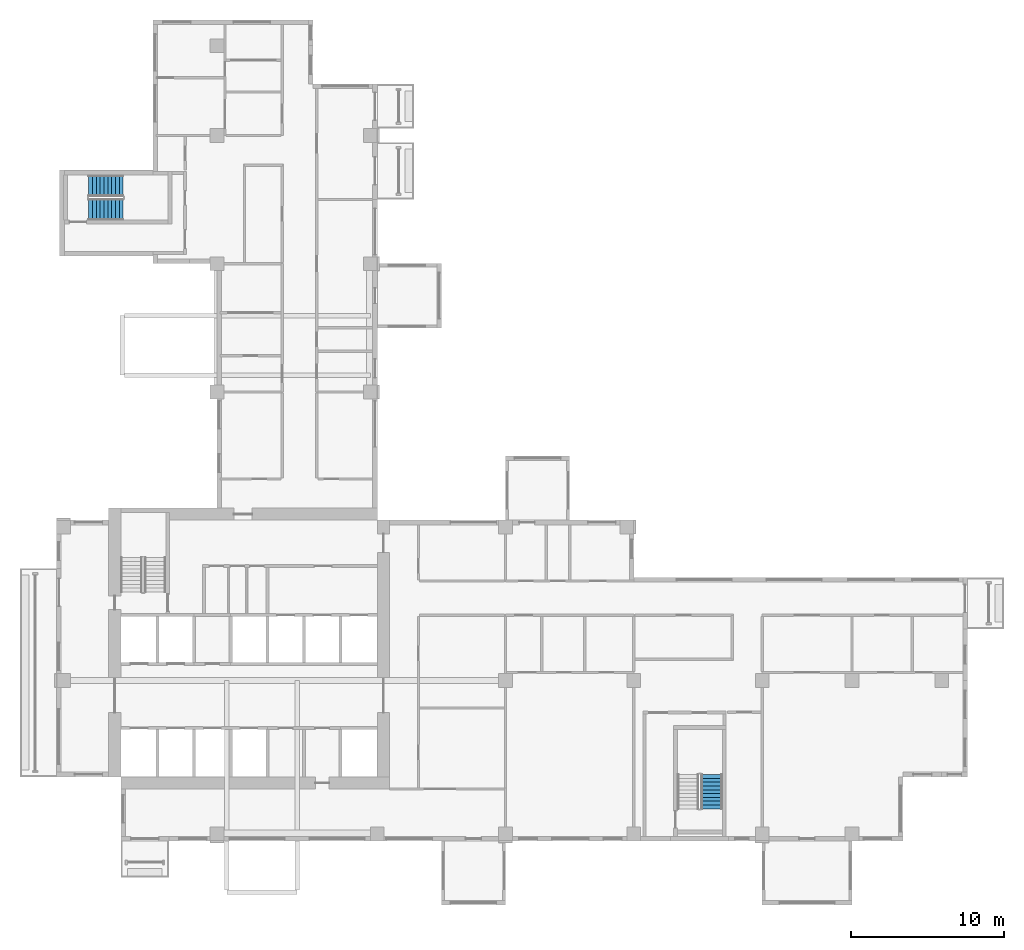
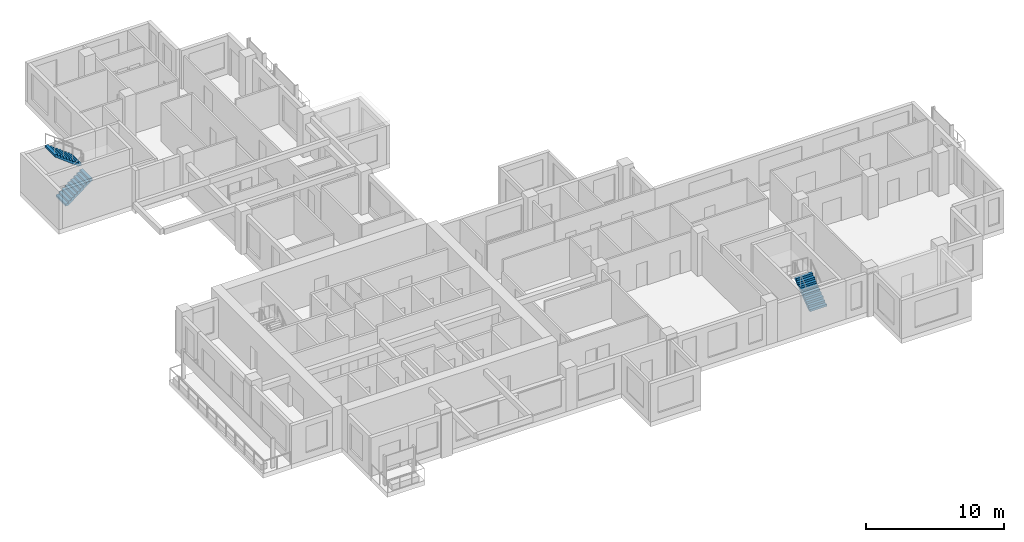
# One storey, part 9 of 13: 3 stair flights, 2 elements without a shape of their own.
"""IFC4 building model written with IfcOpenShell, lengths in metres."""

from ifc_helpers import new_model, si_unit, direction, frame, origin, place, context, subcontext, project, spatial, polyline, outline, extrude, source, transform, mapped, material, type_object, element, aggregate, save


model = new_model("IFC4")

# Units and contexts
model_context = context("Model", 3, precision=1e-05, world=origin(), true_north=direction((0.0, 1.0)))
body_context = subcontext(model_context, "Body", "Model", "MODEL_VIEW")
ifc_project = project(units=[si_unit("LENGTHUNIT", "METRE"), si_unit("AREAUNIT", "SQUARE_METRE"), si_unit("VOLUMEUNIT", "CUBIC_METRE"), si_unit("PLANEANGLEUNIT", "RADIAN"), si_unit("MASSUNIT", "GRAM", prefix="KILO")], contexts=[model_context])

# Site, building, storey
site_placement = place(None, origin())
site = spatial("IfcSite", under=ifc_project, at=site_placement, CompositionType="ELEMENT")
building_placement = place(site_placement, origin())
building = spatial("IfcBuilding", under=site, at=building_placement, Name="Aurelian Terraces", CompositionType="ELEMENT")
storey_placement = place(building_placement, frame((0.0, 0.0, 193.0)))
storey = spatial("IfcBuildingStorey", under=building, at=storey_placement, Name="L42", CompositionType="ELEMENT", Elevation=193.0)

# Stair, stair flight
ifc_material = material(Name="Concrete fc' 40 MPa", Category="concrete")
stair_type = type_object("IfcStairType", Name="Stair 1400", PredefinedType="HALF_TURN_STAIR", material=ifc_material)
stair_1_placement = place(storey_placement, origin())
stair_1 = element("IfcStair", 1, at=stair_1_placement, inside=storey, type_object=stair_type, Name="L42 S2", PredefinedType="HALF_TURN_STAIR")
stair_flight_type = type_object("IfcStairFlightType", Name="Stair flight 1400", PredefinedType="STRAIGHT", material=ifc_material)
shared_shape = source(origin(), body_context, "Body", "SweptSolid", [
    extrude(outline(polyline([(0.0, 0.0), (0.0, 0.19), (0.25, 0.19), (0.25, 0.38), (0.5, 0.38), (0.5, 0.57), (0.75, 0.57), (0.75, 0.76), (1.0, 0.76), (1.0, 0.95), (1.25, 0.95), (1.25, 1.14), (1.5, 1.14), (1.5, 1.33), (1.75, 1.33), (1.75, 1.52), (2.0, 1.52), (2.0, 1.71), (2.25, 1.71), (2.25, 1.9), (2.25, 1.5216), (0.2479, 0.0), (0.0, 0.0)])), frame((0.0, 0.7, 0.0), z_axis=(0.0, -1.0, 0.0), x_axis=(1.0, 0.0, 0.0)), (0.0, 0.0, 1.0), 1.4),
])
stair_flight_1_placement = place(storey_placement, frame((42.9, 2.1, 2e-08), z_axis=(0.0, 0.0, 1.0), x_axis=(0.0, 1.0, 0.0)))
stair_flight_1 = element("IfcStairFlight", 2, at=stair_flight_1_placement, type_object=stair_flight_type, Name="S2 flight 1", NumberOfRisers=10, NumberOfTreads=9, PredefinedType="STRAIGHT", RiserHeight=0.19, TreadLength=0.25, context=body_context, shape_type="MappedRepresentation", body=[
    mapped(shared_shape, transform((0.0, 0.0, 0.0), scale=1.0)),
])
aggregate(stair_1, [stair_flight_1])

# Stair, stair flights
stair_2_placement = place(storey_placement, origin())
stair_2 = element("IfcStair", 3, at=stair_2_placement, inside=storey, type_object=stair_type, Name="L42 S3", PredefinedType="HALF_TURN_STAIR")
stair_flight_2_placement = place(storey_placement, frame((2.1, 41.35, 2e-08), z_axis=(0.0, 0.0, 1.0), x_axis=(1.0, 0.0, 0.0)))
stair_flight_2 = element("IfcStairFlight", 4, at=stair_flight_2_placement, type_object=stair_flight_type, Name="S3 flight 1", NumberOfRisers=10, NumberOfTreads=9, PredefinedType="STRAIGHT", RiserHeight=0.19, TreadLength=0.25, context=body_context, shape_type="MappedRepresentation", body=[
    mapped(shared_shape, transform((0.0, 0.0, 0.0), scale=1.0)),
])
stair_flight_3_placement = place(storey_placement, frame((4.35, 42.9, 1.9000000200000058), z_axis=(0.0, 0.0, 1.0), x_axis=(-1.0, 0.0, 0.0)))
stair_flight_3 = element("IfcStairFlight", 5, at=stair_flight_3_placement, type_object=stair_flight_type, Name="S3 flight 2", NumberOfRisers=10, NumberOfTreads=9, PredefinedType="STRAIGHT", RiserHeight=0.19, TreadLength=0.25, context=body_context, shape_type="MappedRepresentation", body=[
    mapped(shared_shape, transform((0.0, 0.0, 0.0), scale=1.0)),
])
aggregate(stair_2, [stair_flight_2, stair_flight_3])

save(model, "model.ifc")
